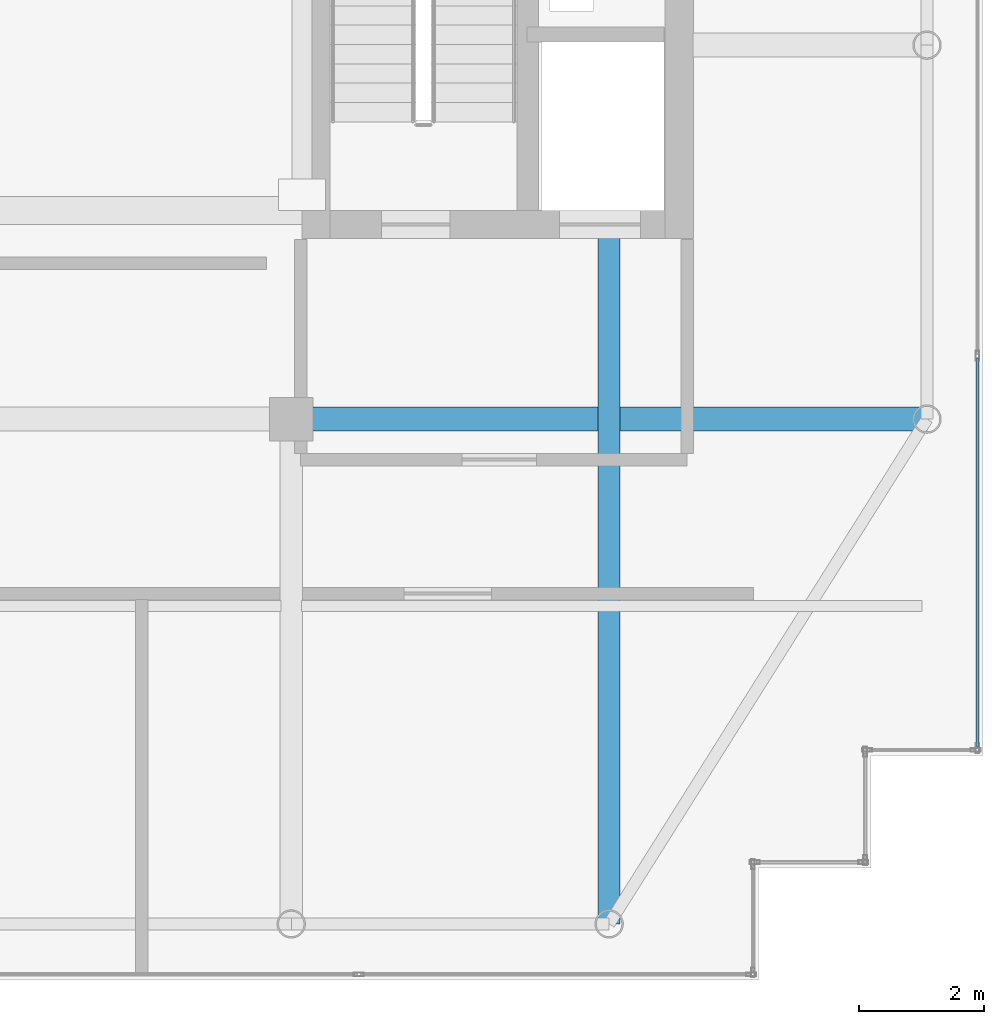
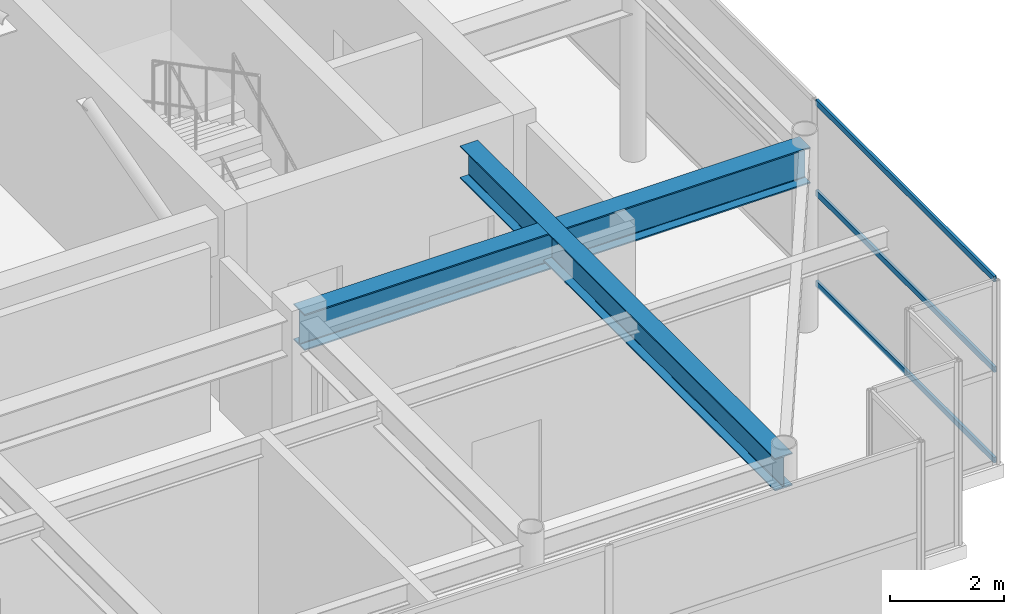
# One storey, part 16 of 33: 3 members, 2 beams, 1 element without a shape of its own.
"""IFC4 building model written with IfcOpenShell, lengths in metres."""

from ifc_helpers import new_model, si_unit, direction, frame, origin, origin_2d, place, context, subcontext, project, spatial, hollow_rectangle, i_section, extrude, source, transform, mapped, material, layer, layer_set, material_profile, profile_set, type_object, element, aggregate, save


model = new_model("IFC4")

# Units and contexts
model_context = context("Model", 3, precision=1e-05, world=origin(), true_north=direction((0.0, 1.0)))
body_context = subcontext(model_context, "Body", "Model", "MODEL_VIEW")
ifc_project = project(units=[si_unit("LENGTHUNIT", "METRE"), si_unit("AREAUNIT", "SQUARE_METRE"), si_unit("VOLUMEUNIT", "CUBIC_METRE"), si_unit("PLANEANGLEUNIT", "RADIAN"), si_unit("MASSUNIT", "GRAM", prefix="KILO")], contexts=[model_context])

# Site, building, storey
site_placement = place(None, origin())
site = spatial("IfcSite", under=ifc_project, at=site_placement, CompositionType="ELEMENT")
building_placement = place(site_placement, origin())
building = spatial("IfcBuilding", under=site, at=building_placement, Name="Khoralis Quay Care Tower", CompositionType="ELEMENT")
storey_placement = place(building_placement, frame((0.0, 0.0, 302.10009765625)))
storey = spatial("IfcBuildingStorey", under=building, at=storey_placement, Name="L79", CompositionType="ELEMENT", Elevation=302.10009765625)

# Beams
ifc_material_1 = material(Name="Steel S355", Category="steel")
ifc_material_profile_1 = material_profile(ifc_material_1, i_section(OverallWidth=0.381103515625, OverallDepth=0.77294921875, WebThickness=0.0166015625, FlangeThickness=0.027587890625, FilletRadius=0.02197265625, at=origin_2d()), Name="Steel S355")
ifc_profile_set_1 = profile_set([ifc_material_profile_1], Name="Steel S355")
beam_type_1 = type_object("IfcBeamType", Name="BM-W760X257", PredefinedType="BEAM", material=ifc_profile_set_1)
shared_shape_1 = source(origin(), body_context, "Body", "SweptSolid", [
    extrude(i_section(OverallWidth=0.381103515625, OverallDepth=0.77294921875, WebThickness=0.0166015625, FlangeThickness=0.027587890625, FilletRadius=0.02197265625, at=origin_2d()), origin(), (0.0, 0.0, 1.0), 10.2001953125),
])
beam_1_placement = place(storey_placement, frame((30.89990234375, 12.0, 3.533447265625), z_axis=(1.0, 0.0, 0.0), x_axis=(0.0, 1.0, 0.0)))
element("IfcBeam", 1, at=beam_1_placement, inside=storey, type_object=beam_type_1, Name="BM-TGXE-L79-120", PredefinedType="BEAM", context=body_context, shape_type="MappedRepresentation", body=[
    mapped(shared_shape_1, transform((0.0, 0.0, 0.0), scale=1.0)),
])
ifc_material_profile_2 = material_profile(ifc_material_1, i_section(OverallWidth=0.35498046875, OverallDepth=0.695068359375, WebThickness=0.015380859375, FlangeThickness=0.02490234375, FilletRadius=0.02001953125, at=origin_2d()), Name="Steel S355")
ifc_profile_set_2 = profile_set([ifc_material_profile_2], Name="Steel S355")
beam_type_2 = type_object("IfcBeamType", Name="BM-W690X217", PredefinedType="BEAM", material=ifc_profile_set_2)
shared_shape_2 = source(origin(), body_context, "Body", "SweptSolid", [
    extrude(i_section(OverallWidth=0.35498046875, OverallDepth=0.695068359375, WebThickness=0.015380859375, FlangeThickness=0.02490234375, FilletRadius=0.02001953125, at=origin_2d()), origin(), (0.0, 0.0, 1.0), 11.002197265625),
])
beam_2_placement = place(storey_placement, frame((36.0, 3.89990234375, 3.572509765625), z_axis=(0.0, 1.0, 0.0), x_axis=(-1.0, 0.0, 0.0)))
element("IfcBeam", 2, at=beam_2_placement, inside=storey, type_object=beam_type_2, Name="BM-TGYS-L79-360", PredefinedType="BEAM", context=body_context, shape_type="MappedRepresentation", body=[
    mapped(shared_shape_2, transform((0.0, 0.0, 0.0), scale=1.0)),
])

# Curtain wall, members
ifc_material_2 = material(Name="Pale anodised aluminium", Category="aluminium")
ifc_layer = layer(ifc_material_2, 0.199951171875)
ifc_layer_set = layer_set([ifc_layer], Name="Pale anodised aluminium")
curtain_wall_type = type_object("IfcCurtainWallType", Name="CW-SYS-LANTERN", PredefinedType="NOTDEFINED", material=ifc_layer_set)
curtain_wall_placement = place(storey_placement, origin())
curtain_wall = element("IfcCurtainWall", 3, at=curtain_wall_placement, inside=storey, type_object=curtain_wall_type, Name="L79 Unitised Curtain Wall CW-LN-L79-06", PredefinedType="NOTDEFINED")
ifc_material_profile_3 = material_profile(ifc_material_2, hollow_rectangle(XDim=0.054931640625, YDim=0.1201171875, WallThickness=0.00390625, at=origin_2d()), Name="Pale anodised aluminium")
ifc_profile_set_3 = profile_set([ifc_material_profile_3], Name="Pale anodised aluminium")
member_type = type_object("IfcMemberType", Name="CW-TRN-120", PredefinedType="USERDEFINED", material=ifc_profile_set_3)
shared_shape_3 = source(origin(), body_context, "Body", "SweptSolid", [
    extrude(hollow_rectangle(XDim=0.054931640625, YDim=0.1201171875, WallThickness=0.00390625, at=origin_2d()), origin(), (0.0, 0.0, 1.0), 6.23388671875),
])
member_1_placement = place(storey_placement, frame((41.909912109375, 6.75, 0.02978515625), z_axis=(0.0, 1.0, 0.0), x_axis=(-1.0, 0.0, 0.0)))
member_1 = element("IfcMember", 4, at=member_1_placement, type_object=member_type, Name="CW5 transom 1.1", ObjectType="TRANSOM", PredefinedType="USERDEFINED", context=body_context, shape_type="MappedRepresentation", body=[
    mapped(shared_shape_3, transform((0.0, 0.0, 0.0), scale=1.0)),
])
member_2_placement = place(storey_placement, frame((41.909912109375, 6.75, 1.9599609375), z_axis=(0.0, 1.0, 0.0), x_axis=(-1.0, 0.0, 0.0)))
member_2 = element("IfcMember", 5, at=member_2_placement, type_object=member_type, Name="CW5 transom 1.2", ObjectType="TRANSOM", PredefinedType="USERDEFINED", context=body_context, shape_type="MappedRepresentation", body=[
    mapped(shared_shape_3, transform((0.0, 0.0, 0.0), scale=1.0)),
])
member_3_placement = place(storey_placement, frame((41.909912109375, 6.75, 3.889892578125), z_axis=(0.0, 1.0, 0.0), x_axis=(-1.0, 0.0, 0.0)))
member_3 = element("IfcMember", 6, at=member_3_placement, type_object=member_type, Name="CW5 transom 1.3", ObjectType="TRANSOM", PredefinedType="USERDEFINED", context=body_context, shape_type="MappedRepresentation", body=[
    mapped(shared_shape_3, transform((0.0, 0.0, 0.0), scale=1.0)),
])
aggregate(curtain_wall, [member_1, member_2, member_3])

save(model, "model.ifc")
